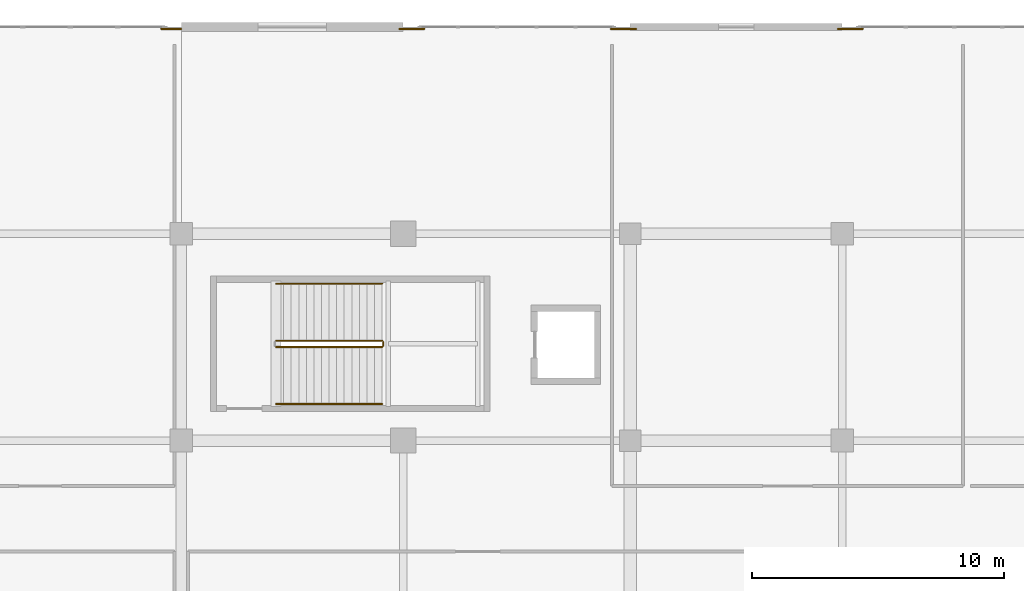
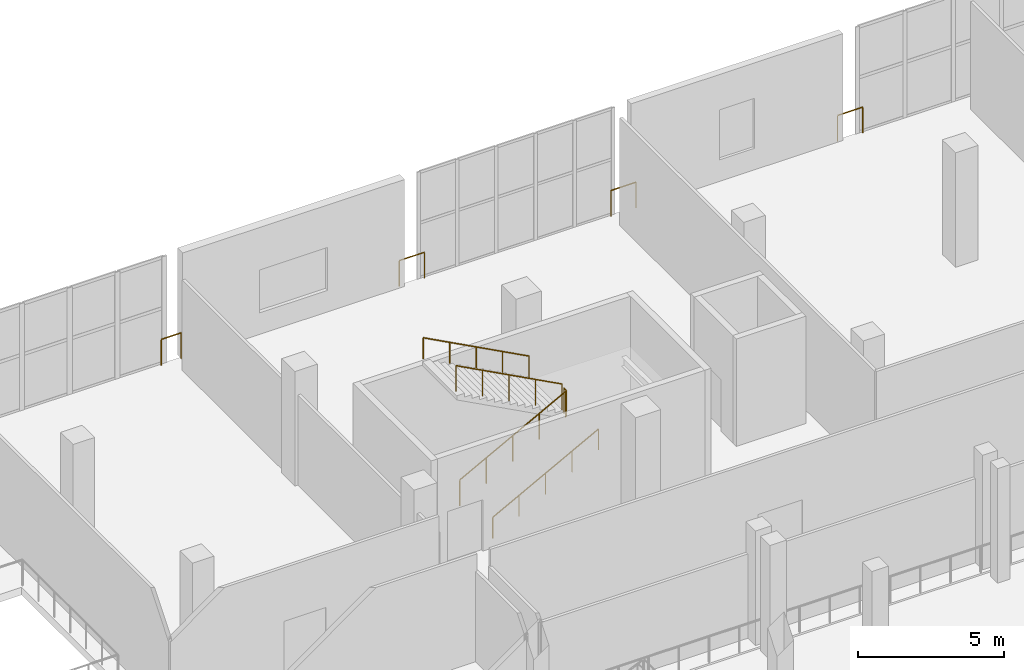
# One storey, part 128 of 129: 9 railings.
"""IFC4 building model written with IfcOpenShell, lengths in metres."""

import ifcopenshell
import ifcopenshell.guid

model = None  # the IFC model being written
_history = None  # IfcOwnerHistory: only IFC2X3 demands one
_inside = {}  # id of a spatial element -> (the spatial element, [elements in it])
_under = {}  # id of a project, library or spatial element -> (it, [spatial elements below it])
_declared = {}  # id of a project -> (the project, [libraries it declares])
_typed = {}  # id of a type object -> (the type object, [elements of that type])
_made_of = {}  # id of a material, layer set ... -> (it, [elements and type objects made of it])


def new_model(schema):
    """Start an empty IFC model of exactly this schema.

    Asked for "IFC4X3", IfcOpenShell would pick the latest addendum, in which some entities
    have other attributes; the version numbers below select the first issue.
    IFC2X3 requires an IfcOwnerHistory on every rooted entity: one is made here for all.
    """
    global model, _history
    if schema == "IFC4X3":
        model = ifcopenshell.file(schema_version=(4, 3, 0, 0))
    else:
        model = ifcopenshell.file(schema=schema)
    _inside.clear()
    _under.clear()
    _declared.clear()
    _typed.clear()
    _made_of.clear()
    _history = None
    if model.schema == "IFC2X3":
        org = make("IfcOrganization", Name="unknown")
        user = make(
            "IfcPersonAndOrganization",
            ThePerson=make("IfcPerson", FamilyName="unknown"),
            TheOrganization=org,
        )
        app = make(
            "IfcApplication",
            ApplicationDeveloper=org,
            Version="unknown",
            ApplicationFullName="unknown",
            ApplicationIdentifier="unknown",
        )
        _history = make(
            "IfcOwnerHistory",
            OwningUser=user,
            OwningApplication=app,
            ChangeAction="ADDED",
            CreationDate=0,
        )
    return model


def make(cls, **values):
    """One entity of the class cls with the attributes given. An attribute that is None is left unset."""
    return model.create_entity(
        cls, **{name: value for name, value in values.items() if value is not None}
    )


def rooted(cls, **values):
    """An entity with a GlobalId (a new one), such as an element, a storey or a relation."""
    return make(cls, GlobalId=ifcopenshell.guid.new(), OwnerHistory=_history, **values)


def si_unit(unit_type, name, prefix=None):
    """IfcSIUnit, for example si_unit("LENGTHUNIT", "METRE", prefix="MILLI")."""
    return make("IfcSIUnit", UnitType=unit_type, Prefix=prefix, Name=name)


def assignment(units):
    """IfcUnitAssignment: the units of a project."""
    return None if units is None else make("IfcUnitAssignment", Units=units)


def point(xyz):
    """IfcCartesianPoint."""
    return None if xyz is None else make("IfcCartesianPoint", Coordinates=xyz)


def direction(xyz):
    """IfcDirection."""
    return None if xyz is None else make("IfcDirection", DirectionRatios=xyz)


def frame(location, z_axis=None, x_axis=None):
    """IfcAxis2Placement3D, a coordinate frame: its origin and axes. An axis left out is left unset."""
    return make(
        "IfcAxis2Placement3D",
        Location=point(location),
        Axis=direction(z_axis),
        RefDirection=direction(x_axis),
    )


def frame_2d(location, x_axis=None):
    """IfcAxis2Placement2D, a coordinate frame in the plane: its origin and x axis."""
    return make(
        "IfcAxis2Placement2D", Location=point(location), RefDirection=direction(x_axis)
    )


def origin():
    """The frame at (0, 0, 0) with its axes left unset."""
    return frame((0.0, 0.0, 0.0))


def origin_2d():
    """The frame at (0, 0) in the plane with its x axis left unset."""
    return frame_2d((0.0, 0.0))


def place(relative_to, where):
    """IfcLocalPlacement: puts the frame where relative to a parent placement (None: the world)."""
    return make(
        "IfcLocalPlacement", PlacementRelTo=relative_to, RelativePlacement=where
    )


def context(
    kind, dimensions, precision=None, world=None, true_north=None, identifier=None
):
    """IfcGeometricRepresentationContext, for example the 3D "Model" context."""
    return make(
        "IfcGeometricRepresentationContext",
        ContextIdentifier=identifier,
        ContextType=kind,
        CoordinateSpaceDimension=dimensions,
        Precision=precision,
        WorldCoordinateSystem=world,
        TrueNorth=true_north,
    )


def subcontext(parent, identifier, kind, view, scale=None):
    """IfcGeometricRepresentationSubContext, for example "Body" below "Model"."""
    return make(
        "IfcGeometricRepresentationSubContext",
        ContextIdentifier=identifier,
        ContextType=kind,
        ParentContext=parent,
        TargetScale=scale,
        TargetView=view,
    )


def project(units=None, contexts=None):
    """IfcProject with its units and contexts."""
    return rooted(
        "IfcProject",
        Name="project",
        RepresentationContexts=contexts,
        UnitsInContext=assignment(units),
    )


def spatial(cls, under=None, at=None, **own):
    """A site, building, storey or space (cls), placed at a placement, below another one or the project."""
    s = rooted(cls, ObjectPlacement=at, **own)
    if under is not None:
        _under.setdefault(under.id(), (under, []))[1].append(s)
    return s


def profile(cls, at=None, kind="AREA", **sizes):
    """A parametric profile (cls). Its sizes go by their IFC names, for example OverallWidth=200.0."""
    return make(cls, ProfileType=kind, Position=at, **sizes)


def circle(**sizes):
    """IfcCircleProfileDef."""
    return profile("IfcCircleProfileDef", **sizes)


def extrude(swept, where, along, depth):
    """IfcExtrudedAreaSolid: the profile swept, set in the frame where, extruded along a direction by depth."""
    return make(
        "IfcExtrudedAreaSolid",
        SweptArea=swept,
        Position=where,
        ExtrudedDirection=direction(along),
        Depth=depth,
    )


def shape(context_of_items, identifier, shape_type, items):
    """IfcShapeRepresentation: the items that make up one representation, for example the "Body"."""
    return make(
        "IfcShapeRepresentation",
        ContextOfItems=context_of_items,
        RepresentationIdentifier=identifier,
        RepresentationType=shape_type,
        Items=items,
    )


def material(Name=None, Category=None):
    """IfcMaterial."""
    return make("IfcMaterial", Name=Name, Category=Category)


def made_of(thing, what):
    """Note that an element or type object is made of a material, layer set ...; save() writes the relation."""
    if what is not None:
        _made_of.setdefault(what.id(), (what, []))[1].append(thing)
    return thing


def type_object(cls, material=None, **own):
    """A type object (cls), such as IfcWallType, which elements share."""
    return made_of(rooted(cls, **own), material)


def element(
    cls,
    number,
    at=None,
    inside=None,
    cuts=None,
    type_object=None,
    material=None,
    context=None,
    identifier="Body",
    shape_type=None,
    held_by="IfcProductDefinitionShape",
    body=None,
    shapes=None,
    **own,
):
    """One element of the class cls, such as IfcWall. Its Tag is "e" and its number.

    at: its placement. inside: the storey or other place that contains it. cuts: it is an
    opening in that element (IfcRelVoidsElement). A single representation is given by context,
    identifier, shape_type and body (its items); several are given by shapes. held_by: the class
    of the entity that holds the representations. save() writes the other relations.
    """
    e = rooted(cls, Tag="e%d" % number, ObjectPlacement=at, **own)
    if body is not None:
        shapes = [shape(context, identifier, shape_type, body)]
    if shapes is not None:
        e.Representation = make(held_by, Representations=shapes)
    if inside is not None:
        _inside.setdefault(inside.id(), (inside, []))[1].append(e)
    if cuts is not None:
        rooted(
            "IfcRelVoidsElement", RelatingBuildingElement=cuts, RelatedOpeningElement=e
        )
    if type_object is not None:
        _typed.setdefault(type_object.id(), (type_object, []))[1].append(e)
    return made_of(e, material)


def aggregate(whole, parts):
    """IfcRelAggregates: a whole, such as a stair, and the parts it consists of."""
    return rooted("IfcRelAggregates", RelatingObject=whole, RelatedObjects=parts)


def save(model, path):
    """Write the relations noted so far, then the file.

    IfcRelAggregates (storeys below a building ...), IfcRelContainedInSpatialStructure (elements
    in a storey), IfcRelDefinesByType, IfcRelAssociatesMaterial and IfcRelDeclares: one each for
    every whole, place, type object, material and project.
    """
    for whole, parts in _under.values():
        aggregate(whole, parts)
    for where, things in _inside.values():
        rooted(
            "IfcRelContainedInSpatialStructure",
            RelatedElements=things,
            RelatingStructure=where,
        )
    for kind, things in _typed.values():
        rooted("IfcRelDefinesByType", RelatedObjects=things, RelatingType=kind)
    for what, things in _made_of.values():
        rooted("IfcRelAssociatesMaterial", RelatedObjects=things, RelatingMaterial=what)
    for by, libraries in _declared.values():
        rooted("IfcRelDeclares", RelatingContext=by, RelatedDefinitions=libraries)
    model.write(path)


model = new_model("IFC4")

# Units and contexts
model_context = context("Model", 3, precision=1e-05, world=origin(), true_north=direction((0.0, 1.0)))
body_context = subcontext(model_context, "Body", "Model", "MODEL_VIEW")
ifc_project = project(units=[si_unit("LENGTHUNIT", "METRE"), si_unit("AREAUNIT", "SQUARE_METRE"), si_unit("VOLUMEUNIT", "CUBIC_METRE"), si_unit("PLANEANGLEUNIT", "RADIAN"), si_unit("MASSUNIT", "GRAM", prefix="KILO")], contexts=[model_context])

# Site, building, storey
site_placement = place(None, origin())
site = spatial("IfcSite", under=ifc_project, at=site_placement, CompositionType="ELEMENT")
building_placement = place(site_placement, origin())
building = spatial("IfcBuilding", under=site, at=building_placement, Name="Koshinbarg Plaza Stadium", CompositionType="ELEMENT")
storey_placement = place(building_placement, frame((0.0, 0.0, 5.39990234375)))
storey = spatial("IfcBuildingStorey", under=building, at=storey_placement, Name="L01", CompositionType="ELEMENT", Elevation=5.39990234375)

# Railings
ifc_material_1 = material(Name="Toughened laminated glass and stainless steel sightline balustrade", Category="steel")
railing_type_1 = type_object("IfcRailingType", Name="RL-BOWL-1100", PredefinedType="BALUSTRADE", material=ifc_material_1)
railing_1_placement = place(storey_placement, frame((170.800537109375, 151.919921875, 0.0)))
element("IfcRailing", 1, at=railing_1_placement, inside=storey, type_object=railing_type_1, Name="L01 deck edge safety balustrade 0045", PredefinedType="BALUSTRADE", context=body_context, shape_type="SweptSolid", body=[
    extrude(circle(Radius=0.02392578125, at=origin_2d()), frame((0.0, 0.0, 1.076171875), z_axis=(1.0, 0.0, 0.0), x_axis=(0.0, 1.0, 0.0)), (0.0, 0.0, 1.0), 0.799560546875),
    extrude(circle(Radius=0.02099609375, at=origin_2d()), origin(), (0.0, 0.0, 1.0), 1.052001953125),
    extrude(circle(Radius=0.02099609375, at=origin_2d()), frame((0.799560546875, 0.0, 0.0)), (0.0, 0.0, 1.0), 1.052001953125),
])
railing_2_placement = place(storey_placement, frame((180.24169921875, 151.919921875, 0.0)))
element("IfcRailing", 2, at=railing_2_placement, inside=storey, type_object=railing_type_1, Name="L01 deck edge safety balustrade 0046", PredefinedType="BALUSTRADE", context=body_context, shape_type="SweptSolid", body=[
    extrude(circle(Radius=0.02392578125, at=origin_2d()), frame((0.0, 0.0, 1.076171875), z_axis=(1.0, 0.0, 0.0), x_axis=(0.0, 1.0, 0.0)), (0.0, 0.0, 1.0), 0.999267578125),
    extrude(circle(Radius=0.02099609375, at=origin_2d()), origin(), (0.0, 0.0, 1.0), 1.052001953125),
    extrude(circle(Radius=0.02099609375, at=origin_2d()), frame((0.999267578125, 0.0, 0.0)), (0.0, 0.0, 1.0), 1.052001953125),
])
for number, where, name in (
    (3, (188.633544921875, 151.919921875, 0.0), "L01 deck edge safety balustrade 0047"),
    (4, (197.625, 151.919921875, 0.0), "L01 deck edge safety balustrade 0048"),
):
    element("IfcRailing", number, at=place(storey_placement, frame(where)), inside=storey, type_object=railing_type_1, Name=name, PredefinedType="BALUSTRADE", context=body_context, shape_type="SweptSolid", body=[
        extrude(circle(Radius=0.02392578125, at=origin_2d()), frame((0.0, 0.0, 1.076171875), z_axis=(1.0, 0.0, 0.0), x_axis=(0.0, 1.0, 0.0)), (0.0, 0.0, 1.0), 0.99951171875),
        extrude(circle(Radius=0.02099609375, at=origin_2d()), origin(), (0.0, 0.0, 1.0), 1.052001953125),
        extrude(circle(Radius=0.02099609375, at=origin_2d()), frame((0.99951171875, 0.0, 0.0)), (0.0, 0.0, 1.0), 1.052001953125),
    ])
ifc_material_2 = material(Name="Galvanized painted steel guardrail", Category="steel")
railing_type_2 = type_object("IfcRailingType", Name="RL-GUARD-1100", PredefinedType="GUARDRAIL", material=ifc_material_2)
railing_3_placement = place(storey_placement, frame((175.360107421875, 139.31005859375, 0.16015625)))
element("IfcRailing", 5, at=railing_3_placement, inside=storey, type_object=railing_type_2, Name="L01 C12 stair guard 1", PredefinedType="GUARDRAIL", context=body_context, shape_type="SweptSolid", body=[
    extrude(circle(Radius=0.02392578125, at=origin_2d()), frame((0.0, 0.0, 1.076171875), z_axis=(0.882351521365, 0.0, 0.470590897432), x_axis=(0.0, 1.0, 0.0)), (0.0, 0.0, 1.0), 4.760009765625),
    extrude(circle(Radius=0.02099609375, at=origin_2d()), origin(), (0.0, 0.0, 1.0), 1.052001953125),
    extrude(circle(Radius=0.02099609375, at=origin_2d()), frame((1.050048828125, 0.0, 0.56005859375)), (0.0, 0.0, 1.0), 1.052001953125),
    extrude(circle(Radius=0.02099609375, at=origin_2d()), frame((2.10009765625, 0.0, 1.1201171875)), (0.0, 0.0, 1.0), 1.052001953125),
    extrude(circle(Radius=0.02099609375, at=origin_2d()), frame((3.14990234375, 0.0, 1.679931640625)), (0.0, 0.0, 1.0), 1.052001953125),
    extrude(circle(Radius=0.02099609375, at=origin_2d()), frame((4.199951171875, 0.0, 2.239990234375)), (0.0, 0.0, 1.0), 1.052001953125),
])
railing_4_placement = place(storey_placement, frame((179.610107421875, 139.360107421875, 2.400146484375)))
element("IfcRailing", 6, at=railing_4_placement, inside=storey, type_object=railing_type_2, Name="L01 C12 stair guard 2", PredefinedType="GUARDRAIL", context=body_context, shape_type="SweptSolid", body=[
    extrude(circle(Radius=0.02392578125, at=origin_2d()), frame((0.0, 0.0, 1.076171875), z_axis=(0.0, 1.0, 0.0), x_axis=(-1.0, 0.0, 0.0)), (0.0, 0.0, 1.0), 0.14990234375),
    extrude(circle(Radius=0.02099609375, at=origin_2d()), origin(), (0.0, 0.0, 1.0), 1.052001953125),
    extrude(circle(Radius=0.02099609375, at=origin_2d()), frame((0.0, 0.14990234375, 0.0)), (0.0, 0.0, 1.0), 1.052001953125),
])
railing_5_placement = place(storey_placement, frame((179.56005859375, 139.56005859375, 2.56005859375)))
element("IfcRailing", 7, at=railing_5_placement, inside=storey, type_object=railing_type_2, Name="L01 C12 stair guard 3", PredefinedType="GUARDRAIL", context=body_context, shape_type="SweptSolid", body=[
    extrude(circle(Radius=0.02392578125, at=origin_2d()), frame((0.0, 0.0, 1.076171875), z_axis=(-0.882351521365, 0.0, 0.470590897432), x_axis=(0.0, -1.0, 0.0)), (0.0, 0.0, 1.0), 4.760009765625),
    extrude(circle(Radius=0.02099609375, at=origin_2d()), origin(), (0.0, 0.0, 1.0), 1.052001953125),
    extrude(circle(Radius=0.02099609375, at=origin_2d()), frame((-1.050048828125, 0.0, 0.56005859375)), (0.0, 0.0, 1.0), 1.052001953125),
    extrude(circle(Radius=0.02099609375, at=origin_2d()), frame((-2.10009765625, 0.0, 1.1201171875)), (0.0, 0.0, 1.0), 1.052001953125),
    extrude(circle(Radius=0.02099609375, at=origin_2d()), frame((-3.14990234375, 0.0, 1.679931640625)), (0.0, 0.0, 1.0), 1.052001953125),
    extrude(circle(Radius=0.02099609375, at=origin_2d()), frame((-4.199951171875, 0.0, 2.239990234375)), (0.0, 0.0, 1.0), 1.052001953125),
])
ifc_material_3 = material(Name="Brushed stainless steel handrail", Category="steel")
railing_type_3 = type_object("IfcRailingType", Name="RL-HAND-900", PredefinedType="HANDRAIL", material=ifc_material_3)
railing_6_placement = place(storey_placement, frame((175.360107421875, 137.050048828125, 0.16015625)))
element("IfcRailing", 8, at=railing_6_placement, inside=storey, type_object=railing_type_3, Name="L01 C12 stair handrail 1", PredefinedType="HANDRAIL", context=body_context, shape_type="SweptSolid", body=[
    extrude(circle(Radius=0.02392578125, at=origin_2d()), frame((0.0, 0.0, 0.8759765625), z_axis=(0.882351521365, 0.0, 0.470590897432), x_axis=(0.0, 1.0, 0.0)), (0.0, 0.0, 1.0), 4.760009765625),
    extrude(circle(Radius=0.02099609375, at=origin_2d()), origin(), (0.0, 0.0, 1.0), 0.851806640625),
    extrude(circle(Radius=0.02099609375, at=origin_2d()), frame((1.050048828125, 0.0, 0.56005859375)), (0.0, 0.0, 1.0), 0.851806640625),
    extrude(circle(Radius=0.02099609375, at=origin_2d()), frame((2.10009765625, 0.0, 1.1201171875)), (0.0, 0.0, 1.0), 0.851806640625),
    extrude(circle(Radius=0.02099609375, at=origin_2d()), frame((3.14990234375, 0.0, 1.679931640625)), (0.0, 0.0, 1.0), 0.851806640625),
    extrude(circle(Radius=0.02099609375, at=origin_2d()), frame((4.199951171875, 0.0, 2.239990234375)), (0.0, 0.0, 1.0), 0.851806640625),
])
railing_7_placement = place(storey_placement, frame((179.56005859375, 141.820068359375, 2.56005859375)))
element("IfcRailing", 9, at=railing_7_placement, inside=storey, type_object=railing_type_3, Name="L01 C12 stair handrail 2", PredefinedType="HANDRAIL", context=body_context, shape_type="SweptSolid", body=[
    extrude(circle(Radius=0.02392578125, at=origin_2d()), frame((0.0, 0.0, 0.8759765625), z_axis=(-0.882351521365, 0.0, 0.470590897432), x_axis=(0.0, -1.0, 0.0)), (0.0, 0.0, 1.0), 4.760009765625),
    extrude(circle(Radius=0.02099609375, at=origin_2d()), origin(), (0.0, 0.0, 1.0), 0.851806640625),
    extrude(circle(Radius=0.02099609375, at=origin_2d()), frame((-1.050048828125, 0.0, 0.56005859375)), (0.0, 0.0, 1.0), 0.851806640625),
    extrude(circle(Radius=0.02099609375, at=origin_2d()), frame((-2.10009765625, 0.0, 1.1201171875)), (0.0, 0.0, 1.0), 0.851806640625),
    extrude(circle(Radius=0.02099609375, at=origin_2d()), frame((-3.14990234375, 0.0, 1.679931640625)), (0.0, 0.0, 1.0), 0.851806640625),
    extrude(circle(Radius=0.02099609375, at=origin_2d()), frame((-4.199951171875, 0.0, 2.239990234375)), (0.0, 0.0, 1.0), 0.851806640625),
])

save(model, "model.ifc")
